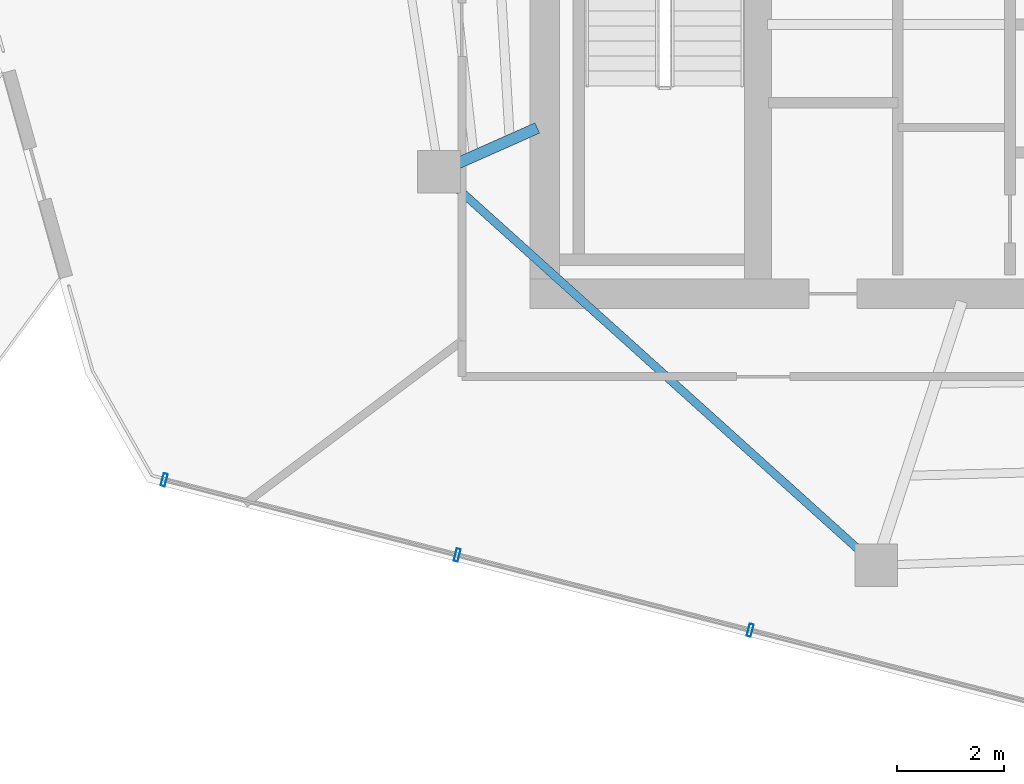
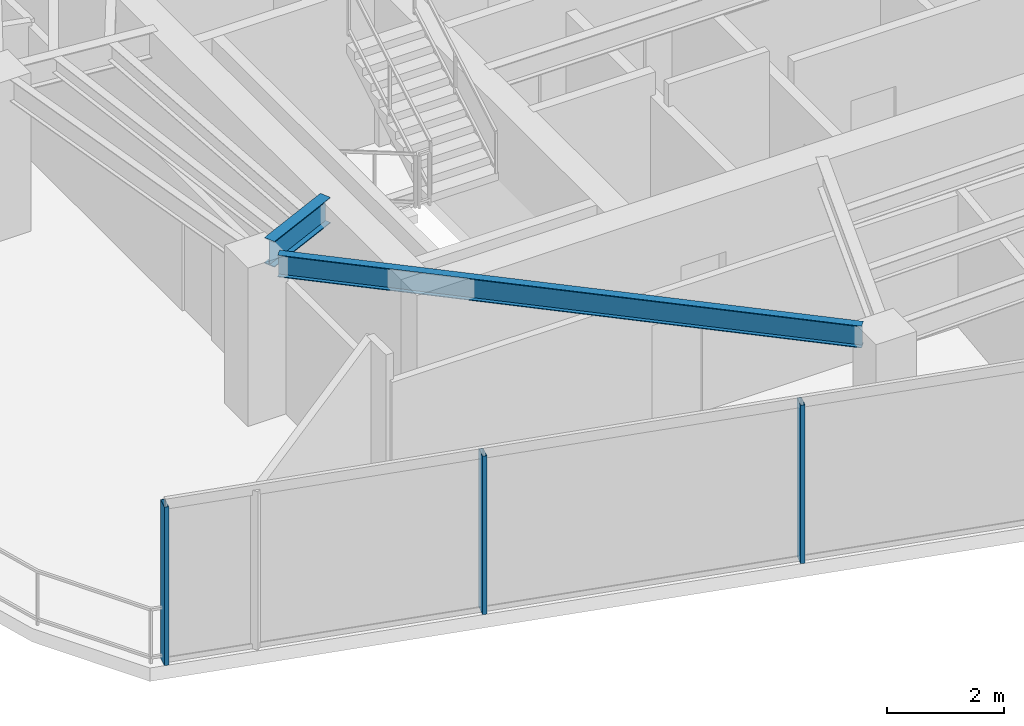
# One storey, part 2 of 18: 3 members, 2 beams, 1 element without a shape of its own.
"""IFC4 building model written with IfcOpenShell, lengths in metres."""

import ifcopenshell
import ifcopenshell.guid

model = None  # the IFC model being written
_history = None  # IfcOwnerHistory: only IFC2X3 demands one
_inside = {}  # id of a spatial element -> (the spatial element, [elements in it])
_under = {}  # id of a project, library or spatial element -> (it, [spatial elements below it])
_declared = {}  # id of a project -> (the project, [libraries it declares])
_typed = {}  # id of a type object -> (the type object, [elements of that type])
_made_of = {}  # id of a material, layer set ... -> (it, [elements and type objects made of it])


def new_model(schema):
    """Start an empty IFC model of exactly this schema.

    Asked for "IFC4X3", IfcOpenShell would pick the latest addendum, in which some entities
    have other attributes; the version numbers below select the first issue.
    IFC2X3 requires an IfcOwnerHistory on every rooted entity: one is made here for all.
    """
    global model, _history
    if schema == "IFC4X3":
        model = ifcopenshell.file(schema_version=(4, 3, 0, 0))
    else:
        model = ifcopenshell.file(schema=schema)
    _inside.clear()
    _under.clear()
    _declared.clear()
    _typed.clear()
    _made_of.clear()
    _history = None
    if model.schema == "IFC2X3":
        org = make("IfcOrganization", Name="unknown")
        user = make(
            "IfcPersonAndOrganization",
            ThePerson=make("IfcPerson", FamilyName="unknown"),
            TheOrganization=org,
        )
        app = make(
            "IfcApplication",
            ApplicationDeveloper=org,
            Version="unknown",
            ApplicationFullName="unknown",
            ApplicationIdentifier="unknown",
        )
        _history = make(
            "IfcOwnerHistory",
            OwningUser=user,
            OwningApplication=app,
            ChangeAction="ADDED",
            CreationDate=0,
        )
    return model


def make(cls, **values):
    """One entity of the class cls with the attributes given. An attribute that is None is left unset."""
    return model.create_entity(
        cls, **{name: value for name, value in values.items() if value is not None}
    )


def rooted(cls, **values):
    """An entity with a GlobalId (a new one), such as an element, a storey or a relation."""
    return make(cls, GlobalId=ifcopenshell.guid.new(), OwnerHistory=_history, **values)


def si_unit(unit_type, name, prefix=None):
    """IfcSIUnit, for example si_unit("LENGTHUNIT", "METRE", prefix="MILLI")."""
    return make("IfcSIUnit", UnitType=unit_type, Prefix=prefix, Name=name)


def assignment(units):
    """IfcUnitAssignment: the units of a project."""
    return None if units is None else make("IfcUnitAssignment", Units=units)


def point(xyz):
    """IfcCartesianPoint."""
    return None if xyz is None else make("IfcCartesianPoint", Coordinates=xyz)


def direction(xyz):
    """IfcDirection."""
    return None if xyz is None else make("IfcDirection", DirectionRatios=xyz)


def frame(location, z_axis=None, x_axis=None):
    """IfcAxis2Placement3D, a coordinate frame: its origin and axes. An axis left out is left unset."""
    return make(
        "IfcAxis2Placement3D",
        Location=point(location),
        Axis=direction(z_axis),
        RefDirection=direction(x_axis),
    )


def frame_2d(location, x_axis=None):
    """IfcAxis2Placement2D, a coordinate frame in the plane: its origin and x axis."""
    return make(
        "IfcAxis2Placement2D", Location=point(location), RefDirection=direction(x_axis)
    )


def origin():
    """The frame at (0, 0, 0) with its axes left unset."""
    return frame((0.0, 0.0, 0.0))


def origin_2d():
    """The frame at (0, 0) in the plane with its x axis left unset."""
    return frame_2d((0.0, 0.0))


def place(relative_to, where):
    """IfcLocalPlacement: puts the frame where relative to a parent placement (None: the world)."""
    return make(
        "IfcLocalPlacement", PlacementRelTo=relative_to, RelativePlacement=where
    )


def context(
    kind, dimensions, precision=None, world=None, true_north=None, identifier=None
):
    """IfcGeometricRepresentationContext, for example the 3D "Model" context."""
    return make(
        "IfcGeometricRepresentationContext",
        ContextIdentifier=identifier,
        ContextType=kind,
        CoordinateSpaceDimension=dimensions,
        Precision=precision,
        WorldCoordinateSystem=world,
        TrueNorth=true_north,
    )


def subcontext(parent, identifier, kind, view, scale=None):
    """IfcGeometricRepresentationSubContext, for example "Body" below "Model"."""
    return make(
        "IfcGeometricRepresentationSubContext",
        ContextIdentifier=identifier,
        ContextType=kind,
        ParentContext=parent,
        TargetScale=scale,
        TargetView=view,
    )


def project(units=None, contexts=None):
    """IfcProject with its units and contexts."""
    return rooted(
        "IfcProject",
        Name="project",
        RepresentationContexts=contexts,
        UnitsInContext=assignment(units),
    )


def spatial(cls, under=None, at=None, **own):
    """A site, building, storey or space (cls), placed at a placement, below another one or the project."""
    s = rooted(cls, ObjectPlacement=at, **own)
    if under is not None:
        _under.setdefault(under.id(), (under, []))[1].append(s)
    return s


def profile(cls, at=None, kind="AREA", **sizes):
    """A parametric profile (cls). Its sizes go by their IFC names, for example OverallWidth=200.0."""
    return make(cls, ProfileType=kind, Position=at, **sizes)


def hollow_rectangle(**sizes):
    """IfcRectangleHollowProfileDef."""
    return profile("IfcRectangleHollowProfileDef", **sizes)


def i_section(**sizes):
    """IfcIShapeProfileDef."""
    return profile("IfcIShapeProfileDef", **sizes)


def extrude(swept, where, along, depth):
    """IfcExtrudedAreaSolid: the profile swept, set in the frame where, extruded along a direction by depth."""
    return make(
        "IfcExtrudedAreaSolid",
        SweptArea=swept,
        Position=where,
        ExtrudedDirection=direction(along),
        Depth=depth,
    )


def shape(context_of_items, identifier, shape_type, items):
    """IfcShapeRepresentation: the items that make up one representation, for example the "Body"."""
    return make(
        "IfcShapeRepresentation",
        ContextOfItems=context_of_items,
        RepresentationIdentifier=identifier,
        RepresentationType=shape_type,
        Items=items,
    )


def material(Name=None, Category=None):
    """IfcMaterial."""
    return make("IfcMaterial", Name=Name, Category=Category)


def layer(
    of_material, thickness, ventilated=None, Name=None, Category=None, Priority=None
):
    """IfcMaterialLayer: one layer of a wall or slab, of a material (None: an air gap)."""
    return make(
        "IfcMaterialLayer",
        Material=of_material,
        LayerThickness=thickness,
        IsVentilated=ventilated,
        Name=Name,
        Category=Category,
        Priority=Priority,
    )


def layer_set(layers, Name=None):
    """IfcMaterialLayerSet."""
    return make("IfcMaterialLayerSet", MaterialLayers=layers, LayerSetName=Name)


def material_profile(
    of_material, cross_section, Name=None, Category=None, Priority=None
):
    """IfcMaterialProfile: a cross section and its material."""
    return make(
        "IfcMaterialProfile",
        Name=Name,
        Material=of_material,
        Profile=cross_section,
        Priority=Priority,
        Category=Category,
    )


def profile_set(profiles, Name=None, composite=None):
    """IfcMaterialProfileSet."""
    return make(
        "IfcMaterialProfileSet",
        Name=Name,
        MaterialProfiles=profiles,
        CompositeProfile=composite,
    )


def made_of(thing, what):
    """Note that an element or type object is made of a material, layer set ...; save() writes the relation."""
    if what is not None:
        _made_of.setdefault(what.id(), (what, []))[1].append(thing)
    return thing


def type_object(cls, material=None, **own):
    """A type object (cls), such as IfcWallType, which elements share."""
    return made_of(rooted(cls, **own), material)


def element(
    cls,
    number,
    at=None,
    inside=None,
    cuts=None,
    type_object=None,
    material=None,
    context=None,
    identifier="Body",
    shape_type=None,
    held_by="IfcProductDefinitionShape",
    body=None,
    shapes=None,
    **own,
):
    """One element of the class cls, such as IfcWall. Its Tag is "e" and its number.

    at: its placement. inside: the storey or other place that contains it. cuts: it is an
    opening in that element (IfcRelVoidsElement). A single representation is given by context,
    identifier, shape_type and body (its items); several are given by shapes. held_by: the class
    of the entity that holds the representations. save() writes the other relations.
    """
    e = rooted(cls, Tag="e%d" % number, ObjectPlacement=at, **own)
    if body is not None:
        shapes = [shape(context, identifier, shape_type, body)]
    if shapes is not None:
        e.Representation = make(held_by, Representations=shapes)
    if inside is not None:
        _inside.setdefault(inside.id(), (inside, []))[1].append(e)
    if cuts is not None:
        rooted(
            "IfcRelVoidsElement", RelatingBuildingElement=cuts, RelatedOpeningElement=e
        )
    if type_object is not None:
        _typed.setdefault(type_object.id(), (type_object, []))[1].append(e)
    return made_of(e, material)


def aggregate(whole, parts):
    """IfcRelAggregates: a whole, such as a stair, and the parts it consists of."""
    return rooted("IfcRelAggregates", RelatingObject=whole, RelatedObjects=parts)


def save(model, path):
    """Write the relations noted so far, then the file.

    IfcRelAggregates (storeys below a building ...), IfcRelContainedInSpatialStructure (elements
    in a storey), IfcRelDefinesByType, IfcRelAssociatesMaterial and IfcRelDeclares: one each for
    every whole, place, type object, material and project.
    """
    for whole, parts in _under.values():
        aggregate(whole, parts)
    for where, things in _inside.values():
        rooted(
            "IfcRelContainedInSpatialStructure",
            RelatedElements=things,
            RelatingStructure=where,
        )
    for kind, things in _typed.values():
        rooted("IfcRelDefinesByType", RelatedObjects=things, RelatingType=kind)
    for what, things in _made_of.values():
        rooted("IfcRelAssociatesMaterial", RelatedObjects=things, RelatingMaterial=what)
    for by, libraries in _declared.values():
        rooted("IfcRelDeclares", RelatingContext=by, RelatedDefinitions=libraries)
    model.write(path)


model = new_model("IFC4")

# Units and contexts
model_context = context("Model", 3, precision=1e-05, world=origin(), true_north=direction((0.0, 1.0)))
body_context = subcontext(model_context, "Body", "Model", "MODEL_VIEW")
ifc_project = project(units=[si_unit("LENGTHUNIT", "METRE"), si_unit("AREAUNIT", "SQUARE_METRE"), si_unit("VOLUMEUNIT", "CUBIC_METRE"), si_unit("PLANEANGLEUNIT", "RADIAN"), si_unit("MASSUNIT", "GRAM", prefix="KILO")], contexts=[model_context])

# Site, building, storey
site_placement = place(None, origin())
site = spatial("IfcSite", under=ifc_project, at=site_placement, CompositionType="ELEMENT")
building_placement = place(site_placement, origin())
building = spatial("IfcBuilding", under=site, at=building_placement, Name="Qarnah Convention Tower", CompositionType="ELEMENT")
storey_placement = place(building_placement, frame((0.0, 0.0, 239.10009765625)))
storey = spatial("IfcBuildingStorey", under=building, at=storey_placement, Name="L64", CompositionType="ELEMENT", Elevation=239.10009765625)

# Beams
ifc_material_1 = material(Name="Structural steel S355JR", Category="steel")
ifc_material_profile_1 = material_profile(ifc_material_1, i_section(OverallWidth=0.2119140625, OverallDepth=0.5400390625, WebThickness=0.011962890625, FlangeThickness=0.01904296875, at=origin_2d()), Name="W530X109")
ifc_profile_set_1 = profile_set([ifc_material_profile_1], Name="Structural steel S355JR")
beam_type_1 = type_object("IfcBeamType", Name="BM-RAD-W530A", PredefinedType="BEAM", material=ifc_profile_set_1)
beam_1_placement = place(storey_placement, frame((26.6630859375, 21.708984375, 3.0498046875), z_axis=(-0.913688456795, -0.406415309652, 0.0), x_axis=(0.406415309652, -0.913688456795, 0.0)))
element("IfcBeam", 1, at=beam_1_placement, inside=storey, type_object=beam_type_1, Name="L64 beam BM-L64-RAD-06", PredefinedType="BEAM", context=body_context, shape_type="SweptSolid", body=[
    extrude(i_section(OverallWidth=0.2119140625, OverallDepth=0.5400390625, WebThickness=0.011962890625, FlangeThickness=0.01904296875, at=origin_2d()), origin(), (0.0, 0.0, 1.0), 1.636474609375),
])
ifc_material_profile_2 = material_profile(ifc_material_1, i_section(OverallWidth=0.154052734375, OverallDepth=0.4599609375, WebThickness=0.009033203125, FlangeThickness=0.014892578125, at=origin_2d()), Name="W460X68")
ifc_profile_set_2 = profile_set([ifc_material_profile_2], Name="Structural steel S355JR")
beam_type_2 = type_object("IfcBeamType", Name="BM-SPN-W460B", PredefinedType="SPANDREL", material=ifc_profile_set_2)
beam_2_placement = place(storey_placement, frame((25.111083984375, 20.6279296875, 3.08984375), z_axis=(0.743130570512, -0.669146437762, 0.0), x_axis=(0.669146437762, 0.743130570512, 0.0)))
element("IfcBeam", 2, at=beam_2_placement, inside=storey, type_object=beam_type_2, Name="L64 spandrel BM-L64-SPN-06", PredefinedType="SPANDREL", context=body_context, shape_type="SweptSolid", body=[
    extrude(i_section(OverallWidth=0.154052734375, OverallDepth=0.4599609375, WebThickness=0.009033203125, FlangeThickness=0.014892578125, at=origin_2d()), origin(), (0.0, 0.0, 1.0), 10.242919921875),
])

# Curtain wall, members
ifc_material_2 = material(Name="Tempered Low-E dark glass", Category="glass")
ifc_layer = layer(ifc_material_2, 0.176025390625)
ifc_layer_set = layer_set([ifc_layer], Name="Tempered Low-E dark glass")
curtain_wall_type = type_object("IfcCurtainWallType", Name="CWS-05", PredefinedType="NOTDEFINED", material=ifc_layer_set)
curtain_wall_placement = place(storey_placement, origin())
curtain_wall = element("IfcCurtainWall", 3, at=curtain_wall_placement, inside=storey, type_object=curtain_wall_type, Name="L64 unitised curtain wall CW-L64-F2", PredefinedType="NOTDEFINED")
ifc_material_3 = material(Name="Black anodised aluminium", Category="aluminium")
ifc_material_profile_3 = material_profile(ifc_material_3, hollow_rectangle(XDim=0.080078125, YDim=0.239990234375, WallThickness=0.0048828125, at=origin_2d()), Name="MUL-80X240")
ifc_profile_set_3 = profile_set([ifc_material_profile_3], Name="Black anodised aluminium")
member_type = type_object("IfcMemberType", Name="MUL-T5", PredefinedType="MULLION", material=ifc_profile_set_3)
member_1_placement = place(storey_placement, frame((30.65283203125, 12.29736328125, 0.0), z_axis=(0.0, 0.0, 1.0), x_axis=(-0.968578703323, 0.248707248524, 0.0)))
member_1 = element("IfcMember", 4, at=member_1_placement, type_object=member_type, Name="CW-L64-F2 mullion 4", PredefinedType="MULLION", context=body_context, shape_type="SweptSolid", body=[
    extrude(hollow_rectangle(XDim=0.080078125, YDim=0.239990234375, WallThickness=0.0048828125, at=origin_2d()), origin(), (0.0, 0.0, 1.0), 3.31982421875),
])
member_2_placement = place(storey_placement, frame((25.162353515625, 13.707275390625, 0.0), z_axis=(0.0, 0.0, 1.0), x_axis=(-0.968578703323, 0.248707248524, 0.0)))
member_2 = element("IfcMember", 5, at=member_2_placement, type_object=member_type, Name="CW-L64-F2 mullion 5", PredefinedType="MULLION", context=body_context, shape_type="SweptSolid", body=[
    extrude(hollow_rectangle(XDim=0.080078125, YDim=0.239990234375, WallThickness=0.0048828125, at=origin_2d()), origin(), (0.0, 0.0, 1.0), 3.31982421875),
])
member_3_placement = place(storey_placement, frame((19.672119140625, 15.116943359375, 0.0), z_axis=(0.0, 0.0, 1.0), x_axis=(-0.968578703323, 0.248707248524, 0.0)))
member_3 = element("IfcMember", 6, at=member_3_placement, type_object=member_type, Name="CW-L64-F2 mullion 6", PredefinedType="MULLION", context=body_context, shape_type="SweptSolid", body=[
    extrude(hollow_rectangle(XDim=0.080078125, YDim=0.239990234375, WallThickness=0.0048828125, at=origin_2d()), origin(), (0.0, 0.0, 1.0), 3.31982421875),
])
aggregate(curtain_wall, [member_1, member_2, member_3])

save(model, "model.ifc")
